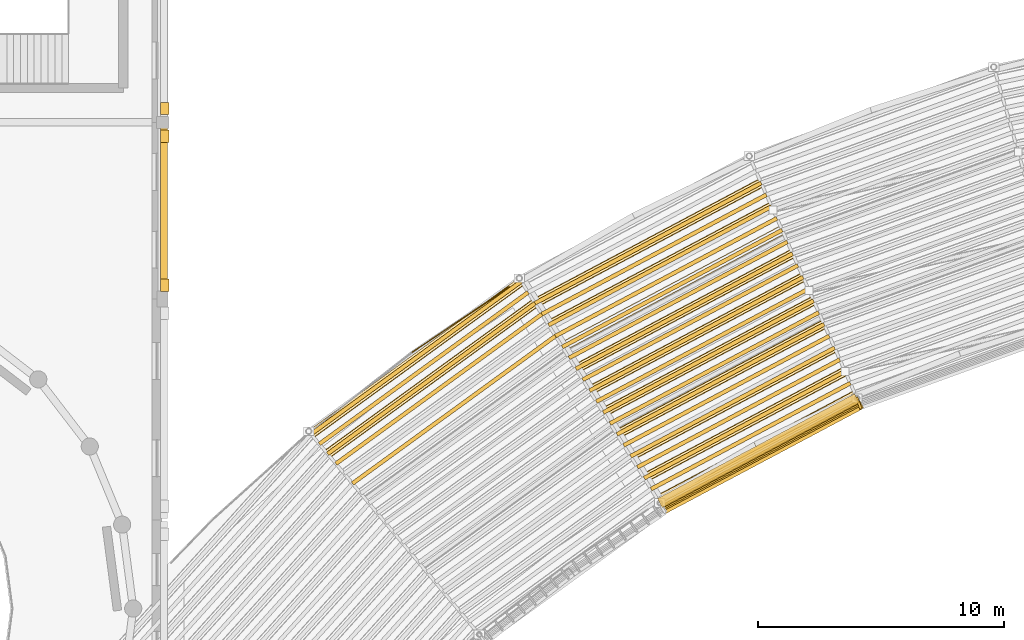
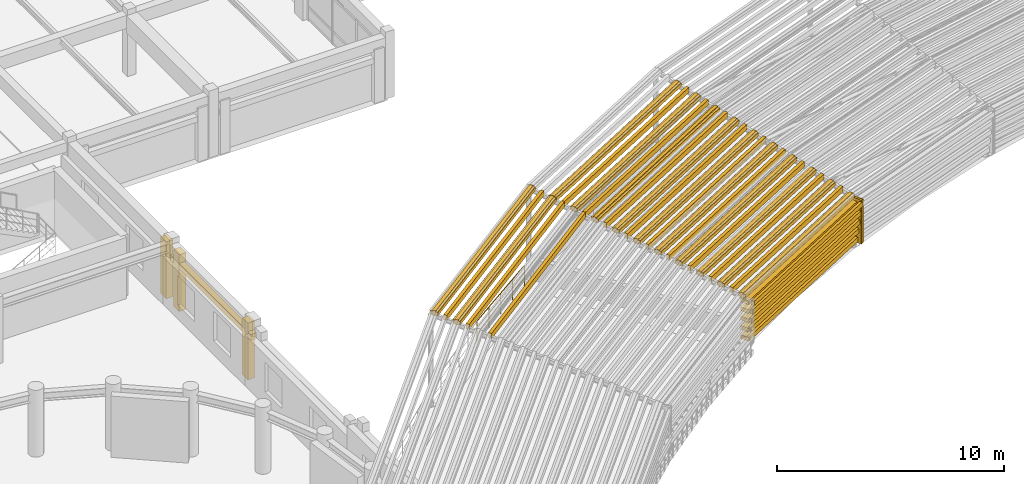
# One storey, part 70 of 74: 46 shading devices, 17 coverings, 1 railing.
"""IFC4 building model written with IfcOpenShell, lengths in metres."""

import ifcopenshell
import ifcopenshell.guid

model = None  # the IFC model being written
_history = None  # IfcOwnerHistory: only IFC2X3 demands one
_inside = {}  # id of a spatial element -> (the spatial element, [elements in it])
_under = {}  # id of a project, library or spatial element -> (it, [spatial elements below it])
_declared = {}  # id of a project -> (the project, [libraries it declares])
_typed = {}  # id of a type object -> (the type object, [elements of that type])
_made_of = {}  # id of a material, layer set ... -> (it, [elements and type objects made of it])


def new_model(schema):
    """Start an empty IFC model of exactly this schema.

    Asked for "IFC4X3", IfcOpenShell would pick the latest addendum, in which some entities
    have other attributes; the version numbers below select the first issue.
    IFC2X3 requires an IfcOwnerHistory on every rooted entity: one is made here for all.
    """
    global model, _history
    if schema == "IFC4X3":
        model = ifcopenshell.file(schema_version=(4, 3, 0, 0))
    else:
        model = ifcopenshell.file(schema=schema)
    _inside.clear()
    _under.clear()
    _declared.clear()
    _typed.clear()
    _made_of.clear()
    _history = None
    if model.schema == "IFC2X3":
        org = make("IfcOrganization", Name="unknown")
        user = make(
            "IfcPersonAndOrganization",
            ThePerson=make("IfcPerson", FamilyName="unknown"),
            TheOrganization=org,
        )
        app = make(
            "IfcApplication",
            ApplicationDeveloper=org,
            Version="unknown",
            ApplicationFullName="unknown",
            ApplicationIdentifier="unknown",
        )
        _history = make(
            "IfcOwnerHistory",
            OwningUser=user,
            OwningApplication=app,
            ChangeAction="ADDED",
            CreationDate=0,
        )
    return model


def make(cls, **values):
    """One entity of the class cls with the attributes given. An attribute that is None is left unset."""
    return model.create_entity(
        cls, **{name: value for name, value in values.items() if value is not None}
    )


def rooted(cls, **values):
    """An entity with a GlobalId (a new one), such as an element, a storey or a relation."""
    return make(cls, GlobalId=ifcopenshell.guid.new(), OwnerHistory=_history, **values)


def si_unit(unit_type, name, prefix=None):
    """IfcSIUnit, for example si_unit("LENGTHUNIT", "METRE", prefix="MILLI")."""
    return make("IfcSIUnit", UnitType=unit_type, Prefix=prefix, Name=name)


def assignment(units):
    """IfcUnitAssignment: the units of a project."""
    return None if units is None else make("IfcUnitAssignment", Units=units)


def point(xyz):
    """IfcCartesianPoint."""
    return None if xyz is None else make("IfcCartesianPoint", Coordinates=xyz)


def direction(xyz):
    """IfcDirection."""
    return None if xyz is None else make("IfcDirection", DirectionRatios=xyz)


def frame(location, z_axis=None, x_axis=None):
    """IfcAxis2Placement3D, a coordinate frame: its origin and axes. An axis left out is left unset."""
    return make(
        "IfcAxis2Placement3D",
        Location=point(location),
        Axis=direction(z_axis),
        RefDirection=direction(x_axis),
    )


def frame_2d(location, x_axis=None):
    """IfcAxis2Placement2D, a coordinate frame in the plane: its origin and x axis."""
    return make(
        "IfcAxis2Placement2D", Location=point(location), RefDirection=direction(x_axis)
    )


def origin():
    """The frame at (0, 0, 0) with its axes left unset."""
    return frame((0.0, 0.0, 0.0))


def origin_2d():
    """The frame at (0, 0) in the plane with its x axis left unset."""
    return frame_2d((0.0, 0.0))


def place(relative_to, where):
    """IfcLocalPlacement: puts the frame where relative to a parent placement (None: the world)."""
    return make(
        "IfcLocalPlacement", PlacementRelTo=relative_to, RelativePlacement=where
    )


def context(
    kind, dimensions, precision=None, world=None, true_north=None, identifier=None
):
    """IfcGeometricRepresentationContext, for example the 3D "Model" context."""
    return make(
        "IfcGeometricRepresentationContext",
        ContextIdentifier=identifier,
        ContextType=kind,
        CoordinateSpaceDimension=dimensions,
        Precision=precision,
        WorldCoordinateSystem=world,
        TrueNorth=true_north,
    )


def subcontext(parent, identifier, kind, view, scale=None):
    """IfcGeometricRepresentationSubContext, for example "Body" below "Model"."""
    return make(
        "IfcGeometricRepresentationSubContext",
        ContextIdentifier=identifier,
        ContextType=kind,
        ParentContext=parent,
        TargetScale=scale,
        TargetView=view,
    )


def project(units=None, contexts=None):
    """IfcProject with its units and contexts."""
    return rooted(
        "IfcProject",
        Name="project",
        RepresentationContexts=contexts,
        UnitsInContext=assignment(units),
    )


def spatial(cls, under=None, at=None, **own):
    """A site, building, storey or space (cls), placed at a placement, below another one or the project."""
    s = rooted(cls, ObjectPlacement=at, **own)
    if under is not None:
        _under.setdefault(under.id(), (under, []))[1].append(s)
    return s


def profile(cls, at=None, kind="AREA", **sizes):
    """A parametric profile (cls). Its sizes go by their IFC names, for example OverallWidth=200.0."""
    return make(cls, ProfileType=kind, Position=at, **sizes)


def rectangle(**sizes):
    """IfcRectangleProfileDef."""
    return profile("IfcRectangleProfileDef", **sizes)


def circle(**sizes):
    """IfcCircleProfileDef."""
    return profile("IfcCircleProfileDef", **sizes)


def extrude(swept, where, along, depth):
    """IfcExtrudedAreaSolid: the profile swept, set in the frame where, extruded along a direction by depth."""
    return make(
        "IfcExtrudedAreaSolid",
        SweptArea=swept,
        Position=where,
        ExtrudedDirection=direction(along),
        Depth=depth,
    )


def shape(context_of_items, identifier, shape_type, items):
    """IfcShapeRepresentation: the items that make up one representation, for example the "Body"."""
    return make(
        "IfcShapeRepresentation",
        ContextOfItems=context_of_items,
        RepresentationIdentifier=identifier,
        RepresentationType=shape_type,
        Items=items,
    )


def material(Name=None, Category=None):
    """IfcMaterial."""
    return make("IfcMaterial", Name=Name, Category=Category)


def layer(
    of_material, thickness, ventilated=None, Name=None, Category=None, Priority=None
):
    """IfcMaterialLayer: one layer of a wall or slab, of a material (None: an air gap)."""
    return make(
        "IfcMaterialLayer",
        Material=of_material,
        LayerThickness=thickness,
        IsVentilated=ventilated,
        Name=Name,
        Category=Category,
        Priority=Priority,
    )


def layer_set(layers, Name=None):
    """IfcMaterialLayerSet."""
    return make("IfcMaterialLayerSet", MaterialLayers=layers, LayerSetName=Name)


def made_of(thing, what):
    """Note that an element or type object is made of a material, layer set ...; save() writes the relation."""
    if what is not None:
        _made_of.setdefault(what.id(), (what, []))[1].append(thing)
    return thing


def type_object(cls, material=None, **own):
    """A type object (cls), such as IfcWallType, which elements share."""
    return made_of(rooted(cls, **own), material)


def element(
    cls,
    number,
    at=None,
    inside=None,
    cuts=None,
    type_object=None,
    material=None,
    context=None,
    identifier="Body",
    shape_type=None,
    held_by="IfcProductDefinitionShape",
    body=None,
    shapes=None,
    **own,
):
    """One element of the class cls, such as IfcWall. Its Tag is "e" and its number.

    at: its placement. inside: the storey or other place that contains it. cuts: it is an
    opening in that element (IfcRelVoidsElement). A single representation is given by context,
    identifier, shape_type and body (its items); several are given by shapes. held_by: the class
    of the entity that holds the representations. save() writes the other relations.
    """
    e = rooted(cls, Tag="e%d" % number, ObjectPlacement=at, **own)
    if body is not None:
        shapes = [shape(context, identifier, shape_type, body)]
    if shapes is not None:
        e.Representation = make(held_by, Representations=shapes)
    if inside is not None:
        _inside.setdefault(inside.id(), (inside, []))[1].append(e)
    if cuts is not None:
        rooted(
            "IfcRelVoidsElement", RelatingBuildingElement=cuts, RelatedOpeningElement=e
        )
    if type_object is not None:
        _typed.setdefault(type_object.id(), (type_object, []))[1].append(e)
    return made_of(e, material)


def aggregate(whole, parts):
    """IfcRelAggregates: a whole, such as a stair, and the parts it consists of."""
    return rooted("IfcRelAggregates", RelatingObject=whole, RelatedObjects=parts)


def save(model, path):
    """Write the relations noted so far, then the file.

    IfcRelAggregates (storeys below a building ...), IfcRelContainedInSpatialStructure (elements
    in a storey), IfcRelDefinesByType, IfcRelAssociatesMaterial and IfcRelDeclares: one each for
    every whole, place, type object, material and project.
    """
    for whole, parts in _under.values():
        aggregate(whole, parts)
    for where, things in _inside.values():
        rooted(
            "IfcRelContainedInSpatialStructure",
            RelatedElements=things,
            RelatingStructure=where,
        )
    for kind, things in _typed.values():
        rooted("IfcRelDefinesByType", RelatedObjects=things, RelatingType=kind)
    for what, things in _made_of.values():
        rooted("IfcRelAssociatesMaterial", RelatedObjects=things, RelatingMaterial=what)
    for by, libraries in _declared.values():
        rooted("IfcRelDeclares", RelatingContext=by, RelatedDefinitions=libraries)
    model.write(path)


model = new_model("IFC4")

# Units and contexts
model_context = context("Model", 3, precision=1e-05, world=origin(), true_north=direction((0.0, 1.0)))
body_context = subcontext(model_context, "Body", "Model", "MODEL_VIEW")
ifc_project = project(units=[si_unit("LENGTHUNIT", "METRE"), si_unit("AREAUNIT", "SQUARE_METRE"), si_unit("VOLUMEUNIT", "CUBIC_METRE"), si_unit("PLANEANGLEUNIT", "RADIAN"), si_unit("MASSUNIT", "GRAM", prefix="KILO")], contexts=[model_context])

# Site, building, storey
site_placement = place(None, origin())
site = spatial("IfcSite", under=ifc_project, at=site_placement, CompositionType="ELEMENT")
building_placement = place(site_placement, origin())
building = spatial("IfcBuilding", under=site, at=building_placement, Name="Clarverna Civic Hall", CompositionType="ELEMENT")
storey_placement = place(building_placement, frame((0.0, 0.0, 13.199951171875)))
storey = spatial("IfcBuildingStorey", under=building, at=storey_placement, Name="L03", CompositionType="ELEMENT", Elevation=13.199951171875)

# Coverings
ifc_material_1 = material(Name="Thermally Modified Teak Wood Slat Fascia Cladding", Category="wood")
ifc_layer_1 = layer(ifc_material_1, 0.080078125)
ifc_layer_set_1 = layer_set([ifc_layer_1], Name="Thermally Modified Teak Wood Slat Fascia Cladding")
covering_type_1 = type_object("IfcCoveringType", Name="CV-CL1", PredefinedType="CLADDING", material=ifc_layer_set_1)
covering_1_placement = place(storey_placement, frame((125.463623046875, 67.610107421875, 0.25), z_axis=(0.0, 0.0, 1.0), x_axis=(0.342242639083, -0.93961160912, 0.0)))
element("IfcCovering", 1, at=covering_1_placement, inside=storey, type_object=covering_type_1, Name="CV-CL1-192", PredefinedType="CLADDING", context=body_context, shape_type="SweptSolid", body=[
    extrude(rectangle(XDim=0.510009765625, YDim=0.10009765625, at=frame_2d((0.2548828125, 0.0))), origin(), (0.0, 0.0, 1.0), 2.35009765625),
])
covering_2_placement = place(storey_placement, frame((125.457275390625, 67.607421875, 0.25), z_axis=(0.0, 0.0, 1.0), x_axis=(0.469470107222, -0.882948366794, 0.0)))
element("IfcCovering", 2, at=covering_2_placement, inside=storey, type_object=covering_type_1, Name="CV-CL1-193", PredefinedType="CLADDING", context=body_context, shape_type="SweptSolid", body=[
    extrude(rectangle(XDim=0.51025390625, YDim=0.10009765625, at=frame_2d((0.255126953125, 0.0))), origin(), (0.0, 0.0, 1.0), 2.35009765625),
])
covering_3_placement = place(storey_placement, frame((125.419921875, 67.7001953125, 2.510009765625), z_axis=(0.0, 0.0, 1.0), x_axis=(-0.882948204356, -0.469470412725, 0.0)))
element("IfcCovering", 3, at=covering_3_placement, inside=storey, type_object=covering_type_1, Name="CV-CL1-201", PredefinedType="CLADDING", context=body_context, shape_type="SweptSolid", body=[
    extrude(rectangle(XDim=9.1171875, YDim=0.340087890625, at=frame_2d((4.55859375, 0.0))), origin(), (0.0, 0.0, 1.0), 0.219970703125),
])
covering_4_placement = place(storey_placement, frame((124.99267578125, 68.659423828125, 2.7451171875), z_axis=(0.0, 0.0, 1.0), x_axis=(-0.882940266503, -0.469485341397, 0.0)))
element("IfcCovering", 4, at=covering_4_placement, inside=storey, type_object=covering_type_1, Name="CV-CL1-206", PredefinedType="CLADDING", context=body_context, shape_type="SweptSolid", body=[
    extrude(rectangle(XDim=9.263671875, YDim=0.340087890625, at=frame_2d((4.6318359375, 0.0))), origin(), (0.0, 0.0, 1.0), 0.219970703125),
])
covering_5_placement = place(storey_placement, frame((124.565673828125, 69.61865234375, 2.97998046875), z_axis=(0.0, 0.0, 1.0), x_axis=(-0.882944012636, -0.469478296144, 0.0)))
element("IfcCovering", 5, at=covering_5_placement, inside=storey, type_object=covering_type_1, Name="CV-CL1-211", PredefinedType="CLADDING", context=body_context, shape_type="SweptSolid", body=[
    extrude(rectangle(XDim=9.410400390625, YDim=0.340087890625, at=frame_2d((4.705078125, 0.0))), origin(), (0.0, 0.0, 1.0), 0.219970703125),
])
covering_6_placement = place(storey_placement, frame((124.138427734375, 70.577880859375, 3.215087890625), z_axis=(0.0, 0.0, 1.0), x_axis=(-0.882946972064, -0.469472730329, 0.0)))
element("IfcCovering", 6, at=covering_6_placement, inside=storey, type_object=covering_type_1, Name="CV-CL1-216", PredefinedType="CLADDING", context=body_context, shape_type="SweptSolid", body=[
    extrude(rectangle(XDim=9.556640625, YDim=0.340087890625, at=frame_2d((4.7783203125, 0.0))), origin(), (0.0, 0.0, 1.0), 0.219970703125),
])
covering_7_placement = place(storey_placement, frame((123.71142578125, 71.537109375, 3.449951171875), z_axis=(0.0, 0.0, 1.0), x_axis=(-0.882944958064, -0.469476518081, 0.0)))
element("IfcCovering", 7, at=covering_7_placement, inside=storey, type_object=covering_type_1, Name="CV-CL1-221", PredefinedType="CLADDING", context=body_context, shape_type="SweptSolid", body=[
    extrude(rectangle(XDim=9.703125, YDim=0.340087890625, at=frame_2d((4.8515625, 0.0))), origin(), (0.0, 0.0, 1.0), 0.22021484375),
])
covering_8_placement = place(storey_placement, frame((123.284423828125, 72.496337890625, 3.68505859375), z_axis=(0.0, 0.0, 1.0), x_axis=(-0.882953278481, -0.469460869531, 0.0)))
element("IfcCovering", 8, at=covering_8_placement, inside=storey, type_object=covering_type_1, Name="CV-CL1-226", PredefinedType="CLADDING", context=body_context, shape_type="SweptSolid", body=[
    extrude(rectangle(XDim=9.849609375, YDim=0.340087890625, at=frame_2d((4.9248046875, 0.0))), origin(), (0.0, 0.0, 1.0), 0.219970703125),
])
covering_9_placement = place(storey_placement, frame((122.857421875, 73.45556640625, 3.920166015625), z_axis=(0.0, 0.0, 1.0), x_axis=(-0.882951231099, -0.469464720187, 0.0)))
element("IfcCovering", 9, at=covering_9_placement, inside=storey, type_object=covering_type_1, Name="CV-CL1-231", PredefinedType="CLADDING", context=body_context, shape_type="SweptSolid", body=[
    extrude(rectangle(XDim=9.996337890625, YDim=0.340087890625, at=frame_2d((4.998046875, 0.0))), origin(), (0.0, 0.0, 1.0), 0.219970703125),
])
covering_10_placement = place(storey_placement, frame((122.003173828125, 75.3740234375, 4.39013671875), z_axis=(0.0, 0.0, 1.0), x_axis=(-0.88294208148, -0.469481928036, 0.0)))
element("IfcCovering", 10, at=covering_10_placement, inside=storey, type_object=covering_type_1, Name="CV-CL1-241", PredefinedType="CLADDING", context=body_context, shape_type="SweptSolid", body=[
    extrude(rectangle(XDim=10.2890625, YDim=0.340087890625, at=frame_2d((5.14453125, 0.0))), origin(), (0.0, 0.0, 1.0), 0.219970703125),
])
covering_11_placement = place(storey_placement, frame((121.576171875, 76.333251953125, 4.625), z_axis=(0.0, 0.0, 1.0), x_axis=(-0.882949975178, -0.469467082268, 0.0)))
element("IfcCovering", 11, at=covering_11_placement, inside=storey, type_object=covering_type_1, Name="CV-CL1-246", PredefinedType="CLADDING", context=body_context, shape_type="SweptSolid", body=[
    extrude(rectangle(XDim=10.435546875, YDim=0.340087890625, at=frame_2d((5.2177734375, 0.0))), origin(), (0.0, 0.0, 1.0), 0.219970703125),
])
covering_12_placement = place(storey_placement, frame((112.362060546875, 71.43408203125, 4.625), z_axis=(0.0, 0.0, 1.0), x_axis=(-0.809012179082, -0.587791879918, 0.0)))
element("IfcCovering", 12, at=covering_12_placement, inside=storey, type_object=covering_type_1, Name="CV-CL1-247", PredefinedType="CLADDING", context=body_context, shape_type="SweptSolid", body=[
    extrude(rectangle(XDim=10.435791015625, YDim=0.340087890625, at=frame_2d((5.2177734375, 0.0))), origin(), (0.0, 0.0, 1.0), 0.219970703125),
])
covering_13_placement = place(storey_placement, frame((111.8056640625, 72.324462890625, 4.860107421875), z_axis=(0.0, 0.0, 1.0), x_axis=(-0.809016339262, -0.587786153977, 0.0)))
element("IfcCovering", 13, at=covering_13_placement, inside=storey, type_object=covering_type_1, Name="CV-CL1-252", PredefinedType="CLADDING", context=body_context, shape_type="SweptSolid", body=[
    extrude(rectangle(XDim=10.58203125, YDim=0.340087890625, at=frame_2d((5.291015625, 0.0))), origin(), (0.0, 0.0, 1.0), 0.219970703125),
])
ifc_material_2 = material(Name="Montjuic Buff Limestone Ashlar Cladding", Category="masonry")
ifc_layer_2 = layer(ifc_material_2, 0.070068359375)
ifc_layer_set_2 = layer_set([ifc_layer_2], Name="Montjuic Buff Limestone Ashlar Cladding")
covering_type_2 = type_object("IfcCoveringType", Name="CV-CL2", PredefinedType="CLADDING", material=ifc_layer_set_2)
covering_14_placement = place(storey_placement, frame((97.284912109375, 79.6201171875, 0.0), z_axis=(0.0, 0.0, 1.0), x_axis=(0.0, -1.0, 0.0)))
element("IfcCovering", 14, at=covering_14_placement, inside=storey, type_object=covering_type_2, Name="CV-CL2-595", PredefinedType="CLADDING", context=body_context, shape_type="SweptSolid", body=[
    extrude(rectangle(XDim=0.5, YDim=0.340087890625, at=frame_2d((0.25, 0.0))), origin(), (0.0, 0.0, 1.0), 3.06005859375),
])
covering_15_placement = place(storey_placement, frame((97.2548828125, 78.739990234375, 2.300048828125), z_axis=(0.0, 0.0, 1.0), x_axis=(0.0, -1.0, 0.0)))
element("IfcCovering", 15, at=covering_15_placement, inside=storey, type_object=covering_type_2, Name="CV-CL2-596", PredefinedType="CLADDING", context=body_context, shape_type="SweptSolid", body=[
    extrude(rectangle(XDim=7.080078125, YDim=0.280029296875, at=frame_2d((3.5400390625, 0.0))), origin(), (0.0, 0.0, 1.0), 0.300048828125),
])
for number, where, z_axis, x_axis, name in (
    (16, (97.284912109375, 78.47998046875, 0.0), (0.0, 0.0, 1.0), (0.0, -1.0, 0.0), "CV-CL2-597"),
    (17, (97.284912109375, 72.419921875, 0.0), (0.0, 0.0, 1.0), (0.0, -1.0, 0.0), "CV-CL2-598"),
):
    element("IfcCovering", number, at=place(storey_placement, frame(where, z_axis=z_axis, x_axis=x_axis)), inside=storey, type_object=covering_type_2, Name=name, PredefinedType="CLADDING", context=body_context, shape_type="SweptSolid", body=[
        extrude(rectangle(XDim=0.5, YDim=0.340087890625, at=frame_2d((0.25, 0.0))), origin(), (0.0, 0.0, 1.0), 3.06005859375),
    ])

# Railing
ifc_material_3 = material(Name="Anodised Bronze Architectural Balustrade")
railing_type = type_object("IfcRailingType", Name="GR-01", PredefinedType="BALUSTRADE", material=ifc_material_3)
railing_placement = place(storey_placement, frame((107.36181640625, 69.435546875, 0.0)))
element("IfcRailing", 18, at=railing_placement, inside=storey, type_object=railing_type, Name="GR-01-028", PredefinedType="BALUSTRADE", context=body_context, shape_type="SweptSolid", body=[
    extrude(circle(Radius=0.02392578125, at=origin_2d()), frame((0.0, 0.0, 1.09619140625), z_axis=(0.829036144347, 0.55919502087, 0.0), x_axis=(-0.55919502087, 0.829036144347, 0.0)), (0.0, 0.0, 1.0), 4.75439453125),
    extrude(circle(Radius=0.011962890625, at=origin_2d()), frame((0.0, 0.0, 0.39208984375), z_axis=(0.829036144347, 0.55919502087, 0.0), x_axis=(-0.55919502087, 0.829036144347, 0.0)), (0.0, 0.0, 1.0), 4.75439453125),
    extrude(circle(Radius=0.011962890625, at=origin_2d()), frame((0.0, 0.0, 0.76171875), z_axis=(0.829036144347, 0.55919502087, 0.0), x_axis=(-0.55919502087, 0.829036144347, 0.0)), (0.0, 0.0, 1.0), 4.75439453125),
    extrude(circle(Radius=0.02099609375, at=origin_2d()), origin(), (0.0, 0.0, 1.0), 1.072021484375),
    extrude(circle(Radius=0.02099609375, at=origin_2d()), frame((0.9853515625, 0.66455078125, 0.0)), (0.0, 0.0, 1.0), 1.072021484375),
    extrude(circle(Radius=0.02099609375, at=origin_2d()), frame((1.970703125, 1.329345703125, 0.0)), (0.0, 0.0, 1.0), 1.072021484375),
    extrude(circle(Radius=0.02099609375, at=origin_2d()), frame((2.956298828125, 1.994140625, 0.0)), (0.0, 0.0, 1.0), 1.072021484375),
    extrude(circle(Radius=0.02099609375, at=origin_2d()), frame((3.941650390625, 2.65869140625, 0.0)), (0.0, 0.0, 1.0), 1.072021484375),
])

# Shading devices
ifc_material_4 = material(Name="Thermally Modified Teak Wood Slats", Category="wood")
ifc_layer_3 = layer(ifc_material_4, 0.06494140625)
ifc_layer_set_3 = layer_set([ifc_layer_3], Name="Thermally Modified Teak Wood Slats")
shading_device_type = type_object("IfcShadingDeviceType", Name="SD-WD1", PredefinedType="JALOUSIE", material=ifc_layer_set_3)
shading_device_1_placement = place(storey_placement, frame((125.547607421875, 67.39501953125, 0.300048828125), z_axis=(0.0, 0.0, 1.0), x_axis=(-0.882942534051, -0.469481076896, 0.0)))
element("IfcShadingDevice", 19, at=shading_device_1_placement, inside=storey, type_object=shading_device_type, Name="SD-WD1-273", PredefinedType="JALOUSIE", context=body_context, shape_type="SweptSolid", body=[
    extrude(rectangle(XDim=9.05615234375, YDim=0.139892578125, at=frame_2d((4.528076171875, 0.0))), origin(), (0.0, 0.0, 1.0), 0.239990234375),
])
shading_device_2_placement = place(storey_placement, frame((125.480712890625, 67.563232421875, 0.260009765625), z_axis=(0.0, 0.0, 1.0), x_axis=(-0.882943645192, -0.469478987193, 0.0)))
element("IfcShadingDevice", 20, at=shading_device_2_placement, inside=storey, type_object=shading_device_type, Name="SD-WD1-274", PredefinedType="JALOUSIE", context=body_context, shape_type="SweptSolid", body=[
    extrude(rectangle(XDim=9.09619140625, YDim=0.419921875, at=frame_2d((4.548095703125, 0.0))), origin(), (0.0, 0.0, 1.0), 0.199951171875),
])
shading_device_3_placement = place(storey_placement, frame((125.57568359375, 67.341796875, 0.800048828125), z_axis=(0.0, 0.0, 1.0), x_axis=(-0.882942534051, -0.469481076896, 0.0)))
element("IfcShadingDevice", 21, at=shading_device_3_placement, inside=storey, type_object=shading_device_type, Name="SD-WD1-275", PredefinedType="JALOUSIE", context=body_context, shape_type="SweptSolid", body=[
    extrude(rectangle(XDim=9.05615234375, YDim=0.139892578125, at=frame_2d((4.528076171875, 0.0))), origin(), (0.0, 0.0, 1.0), 0.239990234375),
])
shading_device_4_placement = place(storey_placement, frame((125.480712890625, 67.563232421875, 0.760009765625), z_axis=(0.0, 0.0, 1.0), x_axis=(-0.882943645192, -0.469478987193, 0.0)))
element("IfcShadingDevice", 22, at=shading_device_4_placement, inside=storey, type_object=shading_device_type, Name="SD-WD1-276", PredefinedType="JALOUSIE", context=body_context, shape_type="SweptSolid", body=[
    extrude(rectangle(XDim=9.09619140625, YDim=0.419921875, at=frame_2d((4.548095703125, 0.0))), origin(), (0.0, 0.0, 1.0), 0.199951171875),
])
shading_device_5_placement = place(storey_placement, frame((125.60400390625, 67.288818359375, 1.300048828125), z_axis=(0.0, 0.0, 1.0), x_axis=(-0.882942534051, -0.469481076896, 0.0)))
element("IfcShadingDevice", 23, at=shading_device_5_placement, inside=storey, type_object=shading_device_type, Name="SD-WD1-277", PredefinedType="JALOUSIE", context=body_context, shape_type="SweptSolid", body=[
    extrude(rectangle(XDim=9.05615234375, YDim=0.139892578125, at=frame_2d((4.528076171875, 0.0))), origin(), (0.0, 0.0, 1.0), 0.239990234375),
])
shading_device_6_placement = place(storey_placement, frame((125.480712890625, 67.563232421875, 1.260009765625), z_axis=(0.0, 0.0, 1.0), x_axis=(-0.882943645192, -0.469478987193, 0.0)))
element("IfcShadingDevice", 24, at=shading_device_6_placement, inside=storey, type_object=shading_device_type, Name="SD-WD1-278", PredefinedType="JALOUSIE", context=body_context, shape_type="SweptSolid", body=[
    extrude(rectangle(XDim=9.09619140625, YDim=0.419921875, at=frame_2d((4.548095703125, 0.0))), origin(), (0.0, 0.0, 1.0), 0.199951171875),
])
shading_device_7_placement = place(storey_placement, frame((125.632080078125, 67.23583984375, 1.800048828125), z_axis=(0.0, 0.0, 1.0), x_axis=(-0.882942534051, -0.469481076896, 0.0)))
element("IfcShadingDevice", 25, at=shading_device_7_placement, inside=storey, type_object=shading_device_type, Name="SD-WD1-279", PredefinedType="JALOUSIE", context=body_context, shape_type="SweptSolid", body=[
    extrude(rectangle(XDim=9.05615234375, YDim=0.139892578125, at=frame_2d((4.528076171875, 0.0))), origin(), (0.0, 0.0, 1.0), 0.239990234375),
])
shading_device_8_placement = place(storey_placement, frame((125.480712890625, 67.563232421875, 1.760009765625), z_axis=(0.0, 0.0, 1.0), x_axis=(-0.882943645192, -0.469478987193, 0.0)))
element("IfcShadingDevice", 26, at=shading_device_8_placement, inside=storey, type_object=shading_device_type, Name="SD-WD1-280", PredefinedType="JALOUSIE", context=body_context, shape_type="SweptSolid", body=[
    extrude(rectangle(XDim=9.09619140625, YDim=0.419921875, at=frame_2d((4.548095703125, 0.0))), origin(), (0.0, 0.0, 1.0), 0.199951171875),
])
shading_device_9_placement = place(storey_placement, frame((125.660400390625, 67.18310546875, 2.280029296875), z_axis=(0.0, 0.0, 1.0), x_axis=(-0.882948475814, -0.469469902186, 0.0)))
element("IfcShadingDevice", 27, at=shading_device_9_placement, inside=storey, type_object=shading_device_type, Name="SD-WD1-281", PredefinedType="JALOUSIE", context=body_context, shape_type="SweptSolid", body=[
    extrude(rectangle(XDim=9.056396484375, YDim=0.139892578125, at=frame_2d((4.5283203125, 0.0))), origin(), (0.0, 0.0, 1.0), 0.239990234375),
])
shading_device_10_placement = place(storey_placement, frame((125.480712890625, 67.563232421875, 2.239990234375), z_axis=(0.0, 0.0, 1.0), x_axis=(-0.882943645192, -0.469478987193, 0.0)))
element("IfcShadingDevice", 28, at=shading_device_10_placement, inside=storey, type_object=shading_device_type, Name="SD-WD1-282", PredefinedType="JALOUSIE", context=body_context, shape_type="SweptSolid", body=[
    extrude(rectangle(XDim=9.09619140625, YDim=0.419921875, at=frame_2d((4.548095703125, 0.0))), origin(), (0.0, 0.0, 1.0), 0.199951171875),
])
shading_device_11_placement = place(storey_placement, frame((125.419921875, 67.7001953125, 2.489990234375), z_axis=(0.0, 0.0, 1.0), x_axis=(-0.882948204356, -0.469470412725, 0.0)))
element("IfcShadingDevice", 29, at=shading_device_11_placement, inside=storey, type_object=shading_device_type, Name="SD-WD1-307", PredefinedType="JALOUSIE", context=body_context, shape_type="SweptSolid", body=[
    extrude(rectangle(XDim=9.1171875, YDim=0.159912109375, at=frame_2d((4.55859375, 0.0))), origin(), (0.0, 0.0, 1.0), 0.280029296875),
])
shading_device_12_placement = place(storey_placement, frame((125.419921875, 67.7001953125, 2.530029296875), z_axis=(0.0, 0.0, 1.0), x_axis=(-0.882948204356, -0.469470412725, 0.0)))
element("IfcShadingDevice", 30, at=shading_device_12_placement, inside=storey, type_object=shading_device_type, Name="SD-WD1-308", PredefinedType="JALOUSIE", context=body_context, shape_type="SweptSolid", body=[
    extrude(rectangle(XDim=9.1171875, YDim=0.3798828125, at=frame_2d((4.55859375, 0.0))), origin(), (0.0, 0.0, 1.0), 0.179931640625),
])
shading_device_13_placement = place(storey_placement, frame((125.206298828125, 68.1796875, 2.607666015625), z_axis=(0.0, 0.0, 1.0), x_axis=(-0.882958142711, -0.469451720861, 0.0)))
element("IfcShadingDevice", 31, at=shading_device_13_placement, inside=storey, type_object=shading_device_type, Name="SD-WD1-315", PredefinedType="JALOUSIE", context=body_context, shape_type="SweptSolid", body=[
    extrude(rectangle(XDim=9.1904296875, YDim=0.159912109375, at=frame_2d((4.59521484375, 0.0))), origin(), (0.0, 0.0, 1.0), 0.27978515625),
])
shading_device_14_placement = place(storey_placement, frame((124.99267578125, 68.659423828125, 2.72509765625), z_axis=(0.0, 0.0, 1.0), x_axis=(-0.882940266503, -0.469485341397, 0.0)))
element("IfcShadingDevice", 32, at=shading_device_14_placement, inside=storey, type_object=shading_device_type, Name="SD-WD1-322", PredefinedType="JALOUSIE", context=body_context, shape_type="SweptSolid", body=[
    extrude(rectangle(XDim=9.263671875, YDim=0.159912109375, at=frame_2d((4.6318359375, 0.0))), origin(), (0.0, 0.0, 1.0), 0.280029296875),
])
shading_device_15_placement = place(storey_placement, frame((124.99267578125, 68.659423828125, 2.76513671875), z_axis=(0.0, 0.0, 1.0), x_axis=(-0.882940266503, -0.469485341397, 0.0)))
element("IfcShadingDevice", 33, at=shading_device_15_placement, inside=storey, type_object=shading_device_type, Name="SD-WD1-323", PredefinedType="JALOUSIE", context=body_context, shape_type="SweptSolid", body=[
    extrude(rectangle(XDim=9.263671875, YDim=0.3798828125, at=frame_2d((4.6318359375, 0.0))), origin(), (0.0, 0.0, 1.0), 0.179931640625),
])
shading_device_16_placement = place(storey_placement, frame((124.779296875, 69.138916015625, 2.842529296875), z_axis=(0.0, 0.0, 1.0), x_axis=(-0.882955874459, -0.46945598703, 0.0)))
element("IfcShadingDevice", 34, at=shading_device_16_placement, inside=storey, type_object=shading_device_type, Name="SD-WD1-330", PredefinedType="JALOUSIE", context=body_context, shape_type="SweptSolid", body=[
    extrude(rectangle(XDim=9.3369140625, YDim=0.159912109375, at=frame_2d((4.66845703125, 0.0))), origin(), (0.0, 0.0, 1.0), 0.280029296875),
])
shading_device_17_placement = place(storey_placement, frame((124.565673828125, 69.61865234375, 2.9599609375), z_axis=(0.0, 0.0, 1.0), x_axis=(-0.882944012636, -0.469478296144, 0.0)))
element("IfcShadingDevice", 35, at=shading_device_17_placement, inside=storey, type_object=shading_device_type, Name="SD-WD1-337", PredefinedType="JALOUSIE", context=body_context, shape_type="SweptSolid", body=[
    extrude(rectangle(XDim=9.410400390625, YDim=0.159912109375, at=frame_2d((4.705078125, 0.0))), origin(), (0.0, 0.0, 1.0), 0.280029296875),
])
shading_device_18_placement = place(storey_placement, frame((124.565673828125, 69.61865234375, 3.0), z_axis=(0.0, 0.0, 1.0), x_axis=(-0.882944012636, -0.469478296144, 0.0)))
element("IfcShadingDevice", 36, at=shading_device_18_placement, inside=storey, type_object=shading_device_type, Name="SD-WD1-338", PredefinedType="JALOUSIE", context=body_context, shape_type="SweptSolid", body=[
    extrude(rectangle(XDim=9.410400390625, YDim=0.3798828125, at=frame_2d((4.705078125, 0.0))), origin(), (0.0, 0.0, 1.0), 0.179931640625),
])
shading_device_19_placement = place(storey_placement, frame((124.35205078125, 70.098388671875, 3.07763671875), z_axis=(0.0, 0.0, 1.0), x_axis=(-0.882937330873, -0.469490862266, 0.0)))
element("IfcShadingDevice", 37, at=shading_device_19_placement, inside=storey, type_object=shading_device_type, Name="SD-WD1-345", PredefinedType="JALOUSIE", context=body_context, shape_type="SweptSolid", body=[
    extrude(rectangle(XDim=9.4833984375, YDim=0.159912109375, at=frame_2d((4.74169921875, 0.0))), origin(), (0.0, 0.0, 1.0), 0.280029296875),
])
shading_device_20_placement = place(storey_placement, frame((124.138427734375, 70.577880859375, 3.195068359375), z_axis=(0.0, 0.0, 1.0), x_axis=(-0.882946972064, -0.469472730329, 0.0)))
element("IfcShadingDevice", 38, at=shading_device_20_placement, inside=storey, type_object=shading_device_type, Name="SD-WD1-352", PredefinedType="JALOUSIE", context=body_context, shape_type="SweptSolid", body=[
    extrude(rectangle(XDim=9.556640625, YDim=0.159912109375, at=frame_2d((4.7783203125, 0.0))), origin(), (0.0, 0.0, 1.0), 0.280029296875),
])
shading_device_21_placement = place(storey_placement, frame((124.138427734375, 70.577880859375, 3.235107421875), z_axis=(0.0, 0.0, 1.0), x_axis=(-0.882946972064, -0.469472730329, 0.0)))
element("IfcShadingDevice", 39, at=shading_device_21_placement, inside=storey, type_object=shading_device_type, Name="SD-WD1-353", PredefinedType="JALOUSIE", context=body_context, shape_type="SweptSolid", body=[
    extrude(rectangle(XDim=9.556640625, YDim=0.3798828125, at=frame_2d((4.7783203125, 0.0))), origin(), (0.0, 0.0, 1.0), 0.179931640625),
])
shading_device_22_placement = place(storey_placement, frame((123.925048828125, 71.0576171875, 3.3125), z_axis=(0.0, 0.0, 1.0), x_axis=(-0.882945957403, -0.469474638619, 0.0)))
element("IfcShadingDevice", 40, at=shading_device_22_placement, inside=storey, type_object=shading_device_type, Name="SD-WD1-360", PredefinedType="JALOUSIE", context=body_context, shape_type="SweptSolid", body=[
    extrude(rectangle(XDim=9.6298828125, YDim=0.159912109375, at=frame_2d((4.81494140625, 0.0))), origin(), (0.0, 0.0, 1.0), 0.280029296875),
])
shading_device_23_placement = place(storey_placement, frame((123.71142578125, 71.537109375, 3.429931640625), z_axis=(0.0, 0.0, 1.0), x_axis=(-0.882944958064, -0.469476518081, 0.0)))
element("IfcShadingDevice", 41, at=shading_device_23_placement, inside=storey, type_object=shading_device_type, Name="SD-WD1-367", PredefinedType="JALOUSIE", context=body_context, shape_type="SweptSolid", body=[
    extrude(rectangle(XDim=9.703125, YDim=0.159912109375, at=frame_2d((4.8515625, 0.0))), origin(), (0.0, 0.0, 1.0), 0.280029296875),
])
shading_device_24_placement = place(storey_placement, frame((123.71142578125, 71.537109375, 3.469970703125), z_axis=(0.0, 0.0, 1.0), x_axis=(-0.882944958064, -0.469476518081, 0.0)))
element("IfcShadingDevice", 42, at=shading_device_24_placement, inside=storey, type_object=shading_device_type, Name="SD-WD1-368", PredefinedType="JALOUSIE", context=body_context, shape_type="SweptSolid", body=[
    extrude(rectangle(XDim=9.703125, YDim=0.3798828125, at=frame_2d((4.8515625, 0.0))), origin(), (0.0, 0.0, 1.0), 0.18017578125),
])
shading_device_25_placement = place(storey_placement, frame((123.497802734375, 72.0166015625, 3.547607421875), z_axis=(0.0, 0.0, 1.0), x_axis=(-0.882948821263, -0.469469252487, 0.0)))
element("IfcShadingDevice", 43, at=shading_device_25_placement, inside=storey, type_object=shading_device_type, Name="SD-WD1-375", PredefinedType="JALOUSIE", context=body_context, shape_type="SweptSolid", body=[
    extrude(rectangle(XDim=9.776123046875, YDim=0.159912109375, at=frame_2d((4.88818359375, 0.0))), origin(), (0.0, 0.0, 1.0), 0.280029296875),
])
shading_device_26_placement = place(storey_placement, frame((123.284423828125, 72.496337890625, 3.6650390625), z_axis=(0.0, 0.0, 1.0), x_axis=(-0.882953278481, -0.469460869531, 0.0)))
element("IfcShadingDevice", 44, at=shading_device_26_placement, inside=storey, type_object=shading_device_type, Name="SD-WD1-382", PredefinedType="JALOUSIE", context=body_context, shape_type="SweptSolid", body=[
    extrude(rectangle(XDim=9.849609375, YDim=0.159912109375, at=frame_2d((4.9248046875, 0.0))), origin(), (0.0, 0.0, 1.0), 0.280029296875),
])
shading_device_27_placement = place(storey_placement, frame((123.284423828125, 72.496337890625, 3.705078125), z_axis=(0.0, 0.0, 1.0), x_axis=(-0.882953278481, -0.469460869531, 0.0)))
element("IfcShadingDevice", 45, at=shading_device_27_placement, inside=storey, type_object=shading_device_type, Name="SD-WD1-383", PredefinedType="JALOUSIE", context=body_context, shape_type="SweptSolid", body=[
    extrude(rectangle(XDim=9.849609375, YDim=0.3798828125, at=frame_2d((4.9248046875, 0.0))), origin(), (0.0, 0.0, 1.0), 0.179931640625),
])
shading_device_28_placement = place(storey_placement, frame((123.07080078125, 72.975830078125, 3.782470703125), z_axis=(0.0, 0.0, 1.0), x_axis=(-0.882946824519, -0.46947300782, 0.0)))
element("IfcShadingDevice", 46, at=shading_device_28_placement, inside=storey, type_object=shading_device_type, Name="SD-WD1-390", PredefinedType="JALOUSIE", context=body_context, shape_type="SweptSolid", body=[
    extrude(rectangle(XDim=9.922607421875, YDim=0.159912109375, at=frame_2d((4.96142578125, 0.0))), origin(), (0.0, 0.0, 1.0), 0.280029296875),
])
shading_device_29_placement = place(storey_placement, frame((122.857421875, 73.45556640625, 3.900146484375), z_axis=(0.0, 0.0, 1.0), x_axis=(-0.882951231099, -0.469464720187, 0.0)))
element("IfcShadingDevice", 47, at=shading_device_29_placement, inside=storey, type_object=shading_device_type, Name="SD-WD1-397", PredefinedType="JALOUSIE", context=body_context, shape_type="SweptSolid", body=[
    extrude(rectangle(XDim=9.996337890625, YDim=0.159912109375, at=frame_2d((4.998046875, 0.0))), origin(), (0.0, 0.0, 1.0), 0.27978515625),
])
shading_device_30_placement = place(storey_placement, frame((122.857421875, 73.45556640625, 3.93994140625), z_axis=(0.0, 0.0, 1.0), x_axis=(-0.882951231099, -0.469464720187, 0.0)))
element("IfcShadingDevice", 48, at=shading_device_30_placement, inside=storey, type_object=shading_device_type, Name="SD-WD1-398", PredefinedType="JALOUSIE", context=body_context, shape_type="SweptSolid", body=[
    extrude(rectangle(XDim=9.996337890625, YDim=0.3798828125, at=frame_2d((4.998046875, 0.0))), origin(), (0.0, 0.0, 1.0), 0.18017578125),
])
shading_device_31_placement = place(storey_placement, frame((122.643798828125, 73.93505859375, 4.017578125), z_axis=(0.0, 0.0, 1.0), x_axis=(-0.882954936331, -0.469457751462, 0.0)))
element("IfcShadingDevice", 49, at=shading_device_31_placement, inside=storey, type_object=shading_device_type, Name="SD-WD1-405", PredefinedType="JALOUSIE", context=body_context, shape_type="SweptSolid", body=[
    extrude(rectangle(XDim=10.069091796875, YDim=0.159912109375, at=frame_2d((5.03466796875, 0.0))), origin(), (0.0, 0.0, 1.0), 0.280029296875),
])
shading_device_32_placement = place(storey_placement, frame((122.43017578125, 74.414794921875, 4.135009765625), z_axis=(0.0, 0.0, 1.0), x_axis=(-0.882943937581, -0.469478437299, 0.0)))
element("IfcShadingDevice", 50, at=shading_device_32_placement, inside=storey, type_object=shading_device_type, Name="SD-WD1-412", PredefinedType="JALOUSIE", context=body_context, shape_type="SweptSolid", body=[
    extrude(rectangle(XDim=10.142578125, YDim=0.159912109375, at=frame_2d((5.0712890625, 0.0))), origin(), (0.0, 0.0, 1.0), 0.280029296875),
])
shading_device_33_placement = place(storey_placement, frame((122.43017578125, 74.414794921875, 4.175048828125), z_axis=(0.0, 0.0, 1.0), x_axis=(-0.882943937581, -0.469478437299, 0.0)))
element("IfcShadingDevice", 51, at=shading_device_33_placement, inside=storey, type_object=shading_device_type, Name="SD-WD1-413", PredefinedType="JALOUSIE", context=body_context, shape_type="SweptSolid", body=[
    extrude(rectangle(XDim=10.142578125, YDim=0.3798828125, at=frame_2d((5.0712890625, 0.0))), origin(), (0.0, 0.0, 1.0), 0.179931640625),
])
shading_device_34_placement = place(storey_placement, frame((122.216796875, 74.894287109375, 4.25244140625), z_axis=(0.0, 0.0, 1.0), x_axis=(-0.882952909174, -0.469461564115, 0.0)))
element("IfcShadingDevice", 52, at=shading_device_34_placement, inside=storey, type_object=shading_device_type, Name="SD-WD1-420", PredefinedType="JALOUSIE", context=body_context, shape_type="SweptSolid", body=[
    extrude(rectangle(XDim=10.2158203125, YDim=0.159912109375, at=frame_2d((5.10791015625, 0.0))), origin(), (0.0, 0.0, 1.0), 0.280029296875),
])
shading_device_35_placement = place(storey_placement, frame((113.19677734375, 70.098388671875, 4.25244140625), z_axis=(0.0, 0.0, 1.0), x_axis=(-0.809012951019, -0.587790817454, 0.0)))
element("IfcShadingDevice", 53, at=shading_device_35_placement, inside=storey, type_object=shading_device_type, Name="SD-WD1-421", PredefinedType="JALOUSIE", context=body_context, shape_type="SweptSolid", body=[
    extrude(rectangle(XDim=10.216064453125, YDim=0.159912109375, at=frame_2d((5.10791015625, 0.0))), origin(), (0.0, 0.0, 1.0), 0.280029296875),
])
shading_device_36_placement = place(storey_placement, frame((122.003173828125, 75.3740234375, 4.3701171875), z_axis=(0.0, 0.0, 1.0), x_axis=(-0.88294208148, -0.469481928036, 0.0)))
element("IfcShadingDevice", 54, at=shading_device_36_placement, inside=storey, type_object=shading_device_type, Name="SD-WD1-427", PredefinedType="JALOUSIE", context=body_context, shape_type="SweptSolid", body=[
    extrude(rectangle(XDim=10.2890625, YDim=0.159912109375, at=frame_2d((5.14453125, 0.0))), origin(), (0.0, 0.0, 1.0), 0.280029296875),
])
shading_device_37_placement = place(storey_placement, frame((122.003173828125, 75.3740234375, 4.41015625), z_axis=(0.0, 0.0, 1.0), x_axis=(-0.88294208148, -0.469481928036, 0.0)))
element("IfcShadingDevice", 55, at=shading_device_37_placement, inside=storey, type_object=shading_device_type, Name="SD-WD1-428", PredefinedType="JALOUSIE", context=body_context, shape_type="SweptSolid", body=[
    extrude(rectangle(XDim=10.2890625, YDim=0.3798828125, at=frame_2d((5.14453125, 0.0))), origin(), (0.0, 0.0, 1.0), 0.179931640625),
])
shading_device_38_placement = place(storey_placement, frame((121.78955078125, 75.853515625, 4.487548828125), z_axis=(0.0, 0.0, 1.0), x_axis=(-0.882950939347, -0.469465268903, 0.0)))
element("IfcShadingDevice", 56, at=shading_device_38_placement, inside=storey, type_object=shading_device_type, Name="SD-WD1-435", PredefinedType="JALOUSIE", context=body_context, shape_type="SweptSolid", body=[
    extrude(rectangle(XDim=10.3623046875, YDim=0.159912109375, at=frame_2d((5.18115234375, 0.0))), origin(), (0.0, 0.0, 1.0), 0.280029296875),
])
shading_device_39_placement = place(storey_placement, frame((112.64013671875, 70.98876953125, 4.487548828125), z_axis=(0.0, 0.0, 1.0), x_axis=(-0.809009048351, -0.5877961889, 0.0)))
element("IfcShadingDevice", 57, at=shading_device_39_placement, inside=storey, type_object=shading_device_type, Name="SD-WD1-436", PredefinedType="JALOUSIE", context=body_context, shape_type="SweptSolid", body=[
    extrude(rectangle(XDim=10.362060546875, YDim=0.159912109375, at=frame_2d((5.18115234375, 0.0))), origin(), (0.0, 0.0, 1.0), 0.280029296875),
])
shading_device_40_placement = place(storey_placement, frame((121.576171875, 76.333251953125, 4.60498046875), z_axis=(0.0, 0.0, 1.0), x_axis=(-0.882949975178, -0.469467082268, 0.0)))
element("IfcShadingDevice", 58, at=shading_device_40_placement, inside=storey, type_object=shading_device_type, Name="SD-WD1-442", PredefinedType="JALOUSIE", context=body_context, shape_type="SweptSolid", body=[
    extrude(rectangle(XDim=10.435546875, YDim=0.159912109375, at=frame_2d((5.2177734375, 0.0))), origin(), (0.0, 0.0, 1.0), 0.280029296875),
])
shading_device_41_placement = place(storey_placement, frame((121.576171875, 76.333251953125, 4.64501953125), z_axis=(0.0, 0.0, 1.0), x_axis=(-0.882949975178, -0.469467082268, 0.0)))
element("IfcShadingDevice", 59, at=shading_device_41_placement, inside=storey, type_object=shading_device_type, Name="SD-WD1-443", PredefinedType="JALOUSIE", context=body_context, shape_type="SweptSolid", body=[
    extrude(rectangle(XDim=10.435546875, YDim=0.3798828125, at=frame_2d((5.2177734375, 0.0))), origin(), (0.0, 0.0, 1.0), 0.179931640625),
])
shading_device_42_placement = place(storey_placement, frame((112.362060546875, 71.43408203125, 4.60498046875), z_axis=(0.0, 0.0, 1.0), x_axis=(-0.809012179082, -0.587791879918, 0.0)))
element("IfcShadingDevice", 60, at=shading_device_42_placement, inside=storey, type_object=shading_device_type, Name="SD-WD1-444", PredefinedType="JALOUSIE", context=body_context, shape_type="SweptSolid", body=[
    extrude(rectangle(XDim=10.435791015625, YDim=0.159912109375, at=frame_2d((5.2177734375, 0.0))), origin(), (0.0, 0.0, 1.0), 0.280029296875),
])
shading_device_43_placement = place(storey_placement, frame((112.362060546875, 71.43408203125, 4.64501953125), z_axis=(0.0, 0.0, 1.0), x_axis=(-0.809012179082, -0.587791879918, 0.0)))
element("IfcShadingDevice", 61, at=shading_device_43_placement, inside=storey, type_object=shading_device_type, Name="SD-WD1-445", PredefinedType="JALOUSIE", context=body_context, shape_type="SweptSolid", body=[
    extrude(rectangle(XDim=10.435791015625, YDim=0.3798828125, at=frame_2d((5.2177734375, 0.0))), origin(), (0.0, 0.0, 1.0), 0.179931640625),
])
shading_device_44_placement = place(storey_placement, frame((112.083740234375, 71.879150390625, 4.72265625), z_axis=(0.0, 0.0, 1.0), x_axis=(-0.80902130794, -0.587779315133, 0.0)))
element("IfcShadingDevice", 62, at=shading_device_44_placement, inside=storey, type_object=shading_device_type, Name="SD-WD1-451", PredefinedType="JALOUSIE", context=body_context, shape_type="SweptSolid", body=[
    extrude(rectangle(XDim=10.508544921875, YDim=0.159912109375, at=frame_2d((5.25439453125, 0.0))), origin(), (0.0, 0.0, 1.0), 0.27978515625),
])
shading_device_45_placement = place(storey_placement, frame((111.8056640625, 72.324462890625, 4.840087890625), z_axis=(0.0, 0.0, 1.0), x_axis=(-0.809016339262, -0.587786153977, 0.0)))
element("IfcShadingDevice", 63, at=shading_device_45_placement, inside=storey, type_object=shading_device_type, Name="SD-WD1-459", PredefinedType="JALOUSIE", context=body_context, shape_type="SweptSolid", body=[
    extrude(rectangle(XDim=10.58203125, YDim=0.159912109375, at=frame_2d((5.291015625, 0.0))), origin(), (0.0, 0.0, 1.0), 0.280029296875),
])
shading_device_46_placement = place(storey_placement, frame((111.8056640625, 72.324462890625, 4.880126953125), z_axis=(0.0, 0.0, 1.0), x_axis=(-0.809016339262, -0.587786153977, 0.0)))
element("IfcShadingDevice", 64, at=shading_device_46_placement, inside=storey, type_object=shading_device_type, Name="SD-WD1-460", PredefinedType="JALOUSIE", context=body_context, shape_type="SweptSolid", body=[
    extrude(rectangle(XDim=10.58203125, YDim=0.3798828125, at=frame_2d((5.291015625, 0.0))), origin(), (0.0, 0.0, 1.0), 0.179931640625),
])

save(model, "model.ifc")
